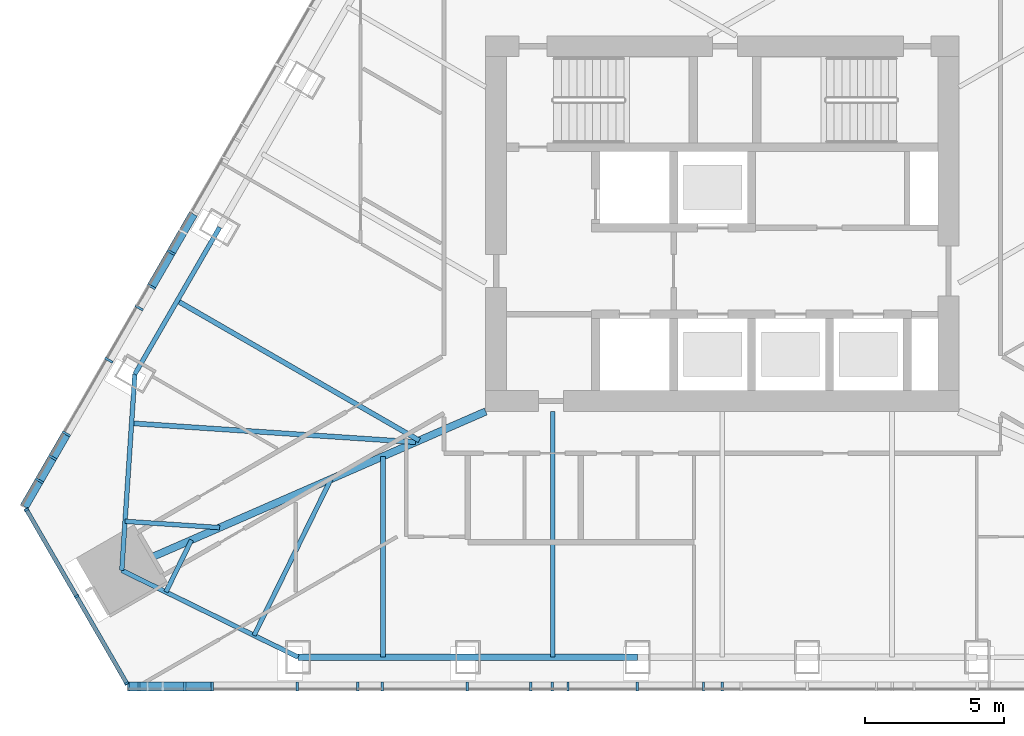
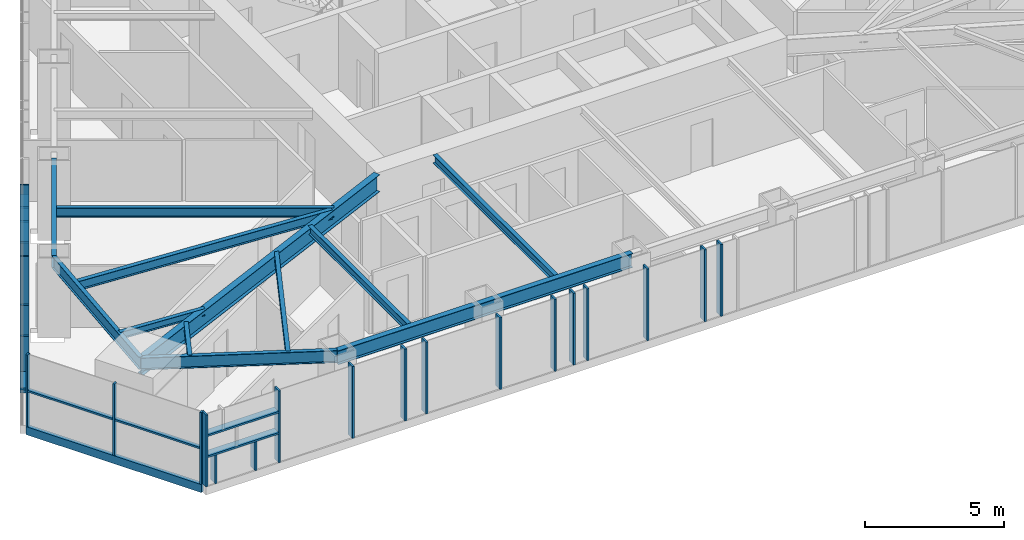
# One storey, part 2 of 18: 31 members, 12 beams, 3 elements without a shape of their own.
"""IFC4 building model written with IfcOpenShell, lengths in metres."""

from ifc_helpers import new_model, si_unit, direction, frame, origin, origin_2d, place, context, subcontext, project, spatial, rectangle, i_section, extrude, material, layer, layer_set, material_profile, profile_set, type_object, element, aggregate, save


model = new_model("IFC4")

# Units and contexts
model_context = context("Model", 3, precision=1e-05, world=origin(), true_north=direction((0.0, 1.0)))
body_context = subcontext(model_context, "Body", "Model", "MODEL_VIEW")
ifc_project = project(units=[si_unit("LENGTHUNIT", "METRE"), si_unit("AREAUNIT", "SQUARE_METRE"), si_unit("VOLUMEUNIT", "CUBIC_METRE"), si_unit("PLANEANGLEUNIT", "RADIAN"), si_unit("MASSUNIT", "GRAM", prefix="KILO")], contexts=[model_context])

# Site, building, storey
site_placement = place(None, origin())
site = spatial("IfcSite", under=ifc_project, at=site_placement, CompositionType="ELEMENT")
building_placement = place(site_placement, origin())
building = spatial("IfcBuilding", under=site, at=building_placement, Name="Firuza Gate Tower and Library", CompositionType="ELEMENT")
storey_placement = place(building_placement, frame((0.0, 0.0, 298.60009765625)))
storey = spatial("IfcBuildingStorey", under=building, at=storey_placement, Name="L72", CompositionType="ELEMENT", Elevation=298.60009765625)

# Curtain wall, members
ifc_material_1 = material(Name="Aluminium 6063-T6", Category="aluminium")
ifc_layer_1 = layer(ifc_material_1, 0.14990234375)
ifc_layer_set_1 = layer_set([ifc_layer_1], Name="Corner curtain wall, chamfers")
curtain_wall_type_1 = type_object("IfcCurtainWallType", Name="Corner curtain wall, chamfers", PredefinedType="NOTDEFINED", material=ifc_layer_set_1)
placement = place(storey_placement, origin())
curtain_wall_1 = element("IfcCurtainWall", 1, at=placement, inside=storey, type_object=curtain_wall_type_1, Name="CW4 L72 SW corner", PredefinedType="NOTDEFINED")
ifc_material_2 = material(Name="Aluminium 6063-T6", Category="aluminium")
ifc_material_profile_1 = material_profile(ifc_material_2, rectangle(XDim=0.14990234375, YDim=0.080078125, at=origin_2d()))
ifc_profile_set_1 = profile_set([ifc_material_profile_1], Name="Aluminium 6063-T6")
member_type_1 = type_object("IfcMemberType", Name="Curtain wall mullion 80x150", PredefinedType="MULLION", material=ifc_profile_set_1)
member_1_placement = place(storey_placement, frame((49.997314453125, 64.7255859375, 0.14990234375), z_axis=(0.0, 0.0, 1.0), x_axis=(0.866025403784, 0.5, 0.0)))
member_1 = element("IfcMember", 2, at=member_1_placement, type_object=member_type_1, Name="Mullion", PredefinedType="MULLION", context=body_context, shape_type="SweptSolid", body=[
    extrude(rectangle(XDim=0.14990234375, YDim=0.080078125, at=origin_2d()), origin(), (0.0, 0.0, 1.0), 3.14990234375),
])
member_2_placement = place(storey_placement, frame((51.799072265625, 61.60498046875, 0.14990234375), z_axis=(0.0, 0.0, 1.0), x_axis=(0.866025403784, 0.5, 0.0)))
member_2 = element("IfcMember", 3, at=member_2_placement, type_object=member_type_1, Name="Mullion", PredefinedType="MULLION", context=body_context, shape_type="SweptSolid", body=[
    extrude(rectangle(XDim=0.14990234375, YDim=0.080078125, at=origin_2d()), origin(), (0.0, 0.0, 1.0), 3.14990234375),
])
member_3_placement = place(storey_placement, frame((53.6005859375, 58.484375, 0.14990234375), z_axis=(0.0, 0.0, 1.0), x_axis=(0.866025403784, 0.5, 0.0)))
member_3 = element("IfcMember", 4, at=member_3_placement, type_object=member_type_1, Name="Mullion", PredefinedType="MULLION", context=body_context, shape_type="SweptSolid", body=[
    extrude(rectangle(XDim=0.14990234375, YDim=0.080078125, at=origin_2d()), origin(), (0.0, 0.0, 1.0), 3.14990234375),
])

ifc_material_3 = material(Name="Aluminium 6063-T6", Category="aluminium")
ifc_layer_2 = layer(ifc_material_3, 0.14990234375)
ifc_layer_set_2 = layer_set([ifc_layer_2], Name="Unitised curtain wall, residences")
curtain_wall_type_2 = type_object("IfcCurtainWallType", Name="Unitised curtain wall, residences", PredefinedType="NOTDEFINED", material=ifc_layer_set_2)
curtain_wall_2 = element("IfcCurtainWall", 5, at=placement, inside=storey, type_object=curtain_wall_type_2, Name="CW3 L72 S face", PredefinedType="NOTDEFINED")
ifc_material_4 = material(Name="Aluminium 6063-T6", Category="aluminium")
ifc_material_profile_2 = material_profile(ifc_material_4, rectangle(XDim=0.320068359375, YDim=0.080078125, at=origin_2d()))
ifc_profile_set_2 = profile_set([ifc_material_profile_2], Name="Aluminium 6063-T6")
member_type_2 = type_object("IfcMemberType", Name="Curtain wall mullion 80x320", PredefinedType="MULLION", material=ifc_profile_set_2)
member_4_placement = place(storey_placement, frame((53.66064453125, 58.36474609375, 0.14990234375), z_axis=(0.0, 0.0, 1.0), x_axis=(0.0, 1.0, 0.0)))
member_4 = element("IfcMember", 6, at=member_4_placement, type_object=member_type_2, Name="Mullion", PredefinedType="MULLION", context=body_context, shape_type="SweptSolid", body=[
    extrude(rectangle(XDim=0.320068359375, YDim=0.080078125, at=origin_2d()), origin(), (0.0, 0.0, 1.0), 3.14990234375),
])
member_5_placement = place(storey_placement, frame((56.6748046875, 58.36474609375, 0.14990234375), z_axis=(0.0, 0.0, 1.0), x_axis=(0.0, 1.0, 0.0)))
member_5 = element("IfcMember", 7, at=member_5_placement, type_object=member_type_2, Name="Mullion", PredefinedType="MULLION", context=body_context, shape_type="SweptSolid", body=[
    extrude(rectangle(XDim=0.320068359375, YDim=0.080078125, at=origin_2d()), origin(), (0.0, 0.0, 1.0), 3.14990234375),
])
member_6_placement = place(storey_placement, frame((59.72900390625, 58.36474609375, 0.14990234375), z_axis=(0.0, 0.0, 1.0), x_axis=(0.0, 1.0, 0.0)))
member_6 = element("IfcMember", 8, at=member_6_placement, type_object=member_type_2, Name="Mullion", PredefinedType="MULLION", context=body_context, shape_type="SweptSolid", body=[
    extrude(rectangle(XDim=0.320068359375, YDim=0.080078125, at=origin_2d()), origin(), (0.0, 0.0, 1.0), 3.14990234375),
])
member_7_placement = place(storey_placement, frame((62.783203125, 58.36474609375, 0.14990234375), z_axis=(0.0, 0.0, 1.0), x_axis=(0.0, 1.0, 0.0)))
member_7 = element("IfcMember", 9, at=member_7_placement, type_object=member_type_2, Name="Mullion", PredefinedType="MULLION", context=body_context, shape_type="SweptSolid", body=[
    extrude(rectangle(XDim=0.320068359375, YDim=0.080078125, at=origin_2d()), origin(), (0.0, 0.0, 1.0), 3.14990234375),
])
member_8_placement = place(storey_placement, frame((65.83740234375, 58.36474609375, 0.14990234375), z_axis=(0.0, 0.0, 1.0), x_axis=(0.0, 1.0, 0.0)))
member_8 = element("IfcMember", 10, at=member_8_placement, type_object=member_type_2, Name="Mullion", PredefinedType="MULLION", context=body_context, shape_type="SweptSolid", body=[
    extrude(rectangle(XDim=0.320068359375, YDim=0.080078125, at=origin_2d()), origin(), (0.0, 0.0, 1.0), 3.14990234375),
])
member_9_placement = place(storey_placement, frame((68.8916015625, 58.36474609375, 0.14990234375), z_axis=(0.0, 0.0, 1.0), x_axis=(0.0, 1.0, 0.0)))
member_9 = element("IfcMember", 11, at=member_9_placement, type_object=member_type_2, Name="Mullion", PredefinedType="MULLION", context=body_context, shape_type="SweptSolid", body=[
    extrude(rectangle(XDim=0.320068359375, YDim=0.080078125, at=origin_2d()), origin(), (0.0, 0.0, 1.0), 3.14990234375),
])
member_10_placement = place(storey_placement, frame((71.94580078125, 58.36474609375, 0.14990234375), z_axis=(0.0, 0.0, 1.0), x_axis=(0.0, 1.0, 0.0)))
member_10 = element("IfcMember", 12, at=member_10_placement, type_object=member_type_2, Name="Mullion", PredefinedType="MULLION", context=body_context, shape_type="SweptSolid", body=[
    extrude(rectangle(XDim=0.320068359375, YDim=0.080078125, at=origin_2d()), origin(), (0.0, 0.0, 1.0), 3.14990234375),
])
member_11_placement = place(storey_placement, frame((75.0, 58.36474609375, 0.14990234375), z_axis=(0.0, 0.0, 1.0), x_axis=(0.0, 1.0, 0.0)))
member_11 = element("IfcMember", 13, at=member_11_placement, type_object=member_type_2, Name="Mullion", PredefinedType="MULLION", context=body_context, shape_type="SweptSolid", body=[
    extrude(rectangle(XDim=0.320068359375, YDim=0.080078125, at=origin_2d()), origin(), (0.0, 0.0, 1.0), 3.14990234375),
])
member_12_placement = place(storey_placement, frame((54.038330078125, 58.36474609375, 0.14990234375), z_axis=(0.0, 0.0, 1.0), x_axis=(0.0, 1.0, 0.0)))
member_12 = element("IfcMember", 14, at=member_12_placement, type_object=member_type_2, Name="Mullion", PredefinedType="MULLION", context=body_context, shape_type="SweptSolid", body=[
    extrude(rectangle(XDim=0.320068359375, YDim=0.080078125, at=origin_2d()), origin(), (0.0, 0.0, 1.0), 1.260009765625),
])
member_13_placement = place(storey_placement, frame((55.687255859375, 58.36474609375, 0.14990234375), z_axis=(0.0, 0.0, 1.0), x_axis=(0.0, 1.0, 0.0)))
member_13 = element("IfcMember", 15, at=member_13_placement, type_object=member_type_2, Name="Mullion", PredefinedType="MULLION", context=body_context, shape_type="SweptSolid", body=[
    extrude(rectangle(XDim=0.320068359375, YDim=0.080078125, at=origin_2d()), origin(), (0.0, 0.0, 1.0), 1.260009765625),
])
member_14_placement = place(storey_placement, frame((61.900634765625, 58.36474609375, 0.14990234375), z_axis=(0.0, 0.0, 1.0), x_axis=(0.0, 1.0, 0.0)))
member_14 = element("IfcMember", 16, at=member_14_placement, type_object=member_type_2, Name="Mullion", PredefinedType="MULLION", context=body_context, shape_type="SweptSolid", body=[
    extrude(rectangle(XDim=0.320068359375, YDim=0.080078125, at=origin_2d()), origin(), (0.0, 0.0, 1.0), 3.14990234375),
])
member_15_placement = place(storey_placement, frame((68.114013671875, 58.36474609375, 0.14990234375), z_axis=(0.0, 0.0, 1.0), x_axis=(0.0, 1.0, 0.0)))
member_15 = element("IfcMember", 17, at=member_15_placement, type_object=member_type_2, Name="Mullion", PredefinedType="MULLION", context=body_context, shape_type="SweptSolid", body=[
    extrude(rectangle(XDim=0.320068359375, YDim=0.080078125, at=origin_2d()), origin(), (0.0, 0.0, 1.0), 3.14990234375),
])
member_16_placement = place(storey_placement, frame((69.459228515625, 58.36474609375, 0.14990234375), z_axis=(0.0, 0.0, 1.0), x_axis=(0.0, 1.0, 0.0)))
member_16 = element("IfcMember", 18, at=member_16_placement, type_object=member_type_2, Name="Mullion", PredefinedType="MULLION", context=body_context, shape_type="SweptSolid", body=[
    extrude(rectangle(XDim=0.320068359375, YDim=0.080078125, at=origin_2d()), origin(), (0.0, 0.0, 1.0), 3.14990234375),
])
member_17_placement = place(storey_placement, frame((74.327392578125, 58.36474609375, 0.14990234375), z_axis=(0.0, 0.0, 1.0), x_axis=(0.0, 1.0, 0.0)))
member_17 = element("IfcMember", 19, at=member_17_placement, type_object=member_type_2, Name="Mullion", PredefinedType="MULLION", context=body_context, shape_type="SweptSolid", body=[
    extrude(rectangle(XDim=0.320068359375, YDim=0.080078125, at=origin_2d()), origin(), (0.0, 0.0, 1.0), 3.14990234375),
])

curtain_wall_3 = element("IfcCurtainWall", 20, at=placement, inside=storey, type_object=curtain_wall_type_2, Name="CW3 L72 W face", PredefinedType="NOTDEFINED")
member_18_placement = place(storey_placement, frame((54.485107421875, 72.737548828125, 0.14990234375), z_axis=(0.0, 0.0, 1.0), x_axis=(0.866025403784, -0.5, 0.0)))
member_18 = element("IfcMember", 21, at=member_18_placement, type_object=member_type_2, Name="Mullion", PredefinedType="MULLION", context=body_context, shape_type="SweptSolid", body=[
    extrude(rectangle(XDim=0.320068359375, YDim=0.080078125, at=origin_2d()), origin(), (0.0, 0.0, 1.0), 3.14990234375),
])
member_19_placement = place(storey_placement, frame((52.9580078125, 70.092529296875, 0.14990234375), z_axis=(0.0, 0.0, 1.0), x_axis=(0.866025403784, -0.5, 0.0)))
member_19 = element("IfcMember", 22, at=member_19_placement, type_object=member_type_2, Name="Mullion", PredefinedType="MULLION", context=body_context, shape_type="SweptSolid", body=[
    extrude(rectangle(XDim=0.320068359375, YDim=0.080078125, at=origin_2d()), origin(), (0.0, 0.0, 1.0), 3.14990234375),
])
member_20_placement = place(storey_placement, frame((51.430908203125, 67.447509765625, 0.14990234375), z_axis=(0.0, 0.0, 1.0), x_axis=(0.866025403784, -0.5, 0.0)))
member_20 = element("IfcMember", 23, at=member_20_placement, type_object=member_type_2, Name="Mullion", PredefinedType="MULLION", context=body_context, shape_type="SweptSolid", body=[
    extrude(rectangle(XDim=0.320068359375, YDim=0.080078125, at=origin_2d()), origin(), (0.0, 0.0, 1.0), 3.14990234375),
])
member_21_placement = place(storey_placement, frame((55.1943359375, 73.966064453125, 1.764892578125), z_axis=(0.0, 0.0, 1.0), x_axis=(0.866025403784, -0.5, 0.0)))
member_21 = element("IfcMember", 24, at=member_21_placement, type_object=member_type_2, Name="Mullion", PredefinedType="MULLION", context=body_context, shape_type="SweptSolid", body=[
    extrude(rectangle(XDim=0.320068359375, YDim=0.080078125, at=origin_2d()), origin(), (0.0, 0.0, 1.0), 1.534912109375),
])
member_22_placement = place(storey_placement, frame((54.043701171875, 71.973388671875, 0.14990234375), z_axis=(0.0, 0.0, 1.0), x_axis=(0.866025403784, -0.5, 0.0)))
member_22 = element("IfcMember", 25, at=member_22_placement, type_object=member_type_2, Name="Mullion", PredefinedType="MULLION", context=body_context, shape_type="SweptSolid", body=[
    extrude(rectangle(XDim=0.320068359375, YDim=0.080078125, at=origin_2d()), origin(), (0.0, 0.0, 1.0), 3.14990234375),
])
member_23_placement = place(storey_placement, frame((50.93701171875, 66.59228515625, 0.14990234375), z_axis=(0.0, 0.0, 1.0), x_axis=(0.866025403784, -0.5, 0.0)))
member_23 = element("IfcMember", 26, at=member_23_placement, type_object=member_type_2, Name="Mullion", PredefinedType="MULLION", context=body_context, shape_type="SweptSolid", body=[
    extrude(rectangle(XDim=0.320068359375, YDim=0.080078125, at=origin_2d()), origin(), (0.0, 0.0, 1.0), 1.534912109375),
])
member_24_placement = place(storey_placement, frame((50.459228515625, 65.764892578125, 1.764892578125), z_axis=(0.0, 0.0, 1.0), x_axis=(0.866025403784, -0.5, 0.0)))
member_24 = element("IfcMember", 27, at=member_24_placement, type_object=member_type_2, Name="Mullion", PredefinedType="MULLION", context=body_context, shape_type="SweptSolid", body=[
    extrude(rectangle(XDim=0.320068359375, YDim=0.080078125, at=origin_2d()), origin(), (0.0, 0.0, 1.0), 1.534912109375),
])

# Member
ifc_material_5 = material(Name="Aluminium 6063-T6", Category="aluminium")
ifc_material_profile_3 = material_profile(ifc_material_5, rectangle(XDim=0.14990234375, YDim=0.35009765625, at=origin_2d()))
ifc_profile_set_3 = profile_set([ifc_material_profile_3], Name="Aluminium 6063-T6")
member_type_3 = type_object("IfcMemberType", Name="Curtain wall transom 350x150", PredefinedType="USERDEFINED", material=ifc_profile_set_3)
member_25_placement = place(storey_placement, frame((49.977294921875, 64.760009765625, -0.025146484375), z_axis=(0.500005719219, -0.866022101766, 0.0), x_axis=(0.866022101766, 0.500005719219, 0.0)))
member_25 = element("IfcMember", 28, at=member_25_placement, type_object=member_type_3, Name="Transom", ObjectType="TRANSOM", PredefinedType="USERDEFINED", context=body_context, shape_type="SweptSolid", body=[
    extrude(rectangle(XDim=0.14990234375, YDim=0.35009765625, at=origin_2d()), origin(), (0.0, 0.0, 1.0), 7.28662109375),
])

ifc_material_6 = material(Name="Aluminium 6063-T6", Category="aluminium")
ifc_material_profile_4 = material_profile(ifc_material_6, rectangle(XDim=0.14990234375, YDim=0.080078125, at=origin_2d()))
ifc_profile_set_4 = profile_set([ifc_material_profile_4], Name="Aluminium 6063-T6")
member_type_4 = type_object("IfcMemberType", Name="Curtain wall transom 80x150", PredefinedType="USERDEFINED", material=ifc_profile_set_4)
member_26_placement = place(storey_placement, frame((49.997314453125, 64.7255859375, 1.724853515625), z_axis=(0.500015035186, -0.866016723041, 0.0), x_axis=(0.866016723041, 0.500015035186, 0.0)))
member_26 = element("IfcMember", 29, at=member_26_placement, type_object=member_type_4, Name="Transom", ObjectType="TRANSOM", PredefinedType="USERDEFINED", context=body_context, shape_type="SweptSolid", body=[
    extrude(rectangle(XDim=0.14990234375, YDim=0.080078125, at=origin_2d()), origin(), (0.0, 0.0, 1.0), 3.5634765625),
])

member_27_placement = place(storey_placement, frame((51.819091796875, 61.5703125, 1.724853515625), z_axis=(0.49996364809, -0.866046390552, 0.0), x_axis=(0.866046390552, 0.49996364809, 0.0)))
member_27 = element("IfcMember", 30, at=member_27_placement, type_object=member_type_4, Name="Transom", ObjectType="TRANSOM", PredefinedType="USERDEFINED", context=body_context, shape_type="SweptSolid", body=[
    extrude(rectangle(XDim=0.14990234375, YDim=0.080078125, at=origin_2d()), origin(), (0.0, 0.0, 1.0), 3.563232421875),
])

aggregate(curtain_wall_1, [member_1, member_2, member_3, member_25, member_26, member_27])

ifc_material_7 = material(Name="Aluminium 6063-T6", Category="aluminium")
ifc_material_profile_5 = material_profile(ifc_material_7, rectangle(XDim=0.320068359375, YDim=0.080078125, at=origin_2d()))
ifc_profile_set_5 = profile_set([ifc_material_profile_5], Name="Aluminium 6063-T6")
member_type_5 = type_object("IfcMemberType", Name="Curtain wall transom 80x320", PredefinedType="USERDEFINED", material=ifc_profile_set_5)
member_28_placement = place(storey_placement, frame((53.66064453125, 58.36474609375, 1.449951171875), z_axis=(1.0, 0.0, 0.0), x_axis=(0.0, 1.0, 0.0)))
member_28 = element("IfcMember", 31, at=member_28_placement, type_object=member_type_5, Name="Transom", ObjectType="TRANSOM", PredefinedType="USERDEFINED", context=body_context, shape_type="SweptSolid", body=[
    extrude(rectangle(XDim=0.320068359375, YDim=0.080078125, at=origin_2d()), origin(), (0.0, 0.0, 1.0), 2.97412109375),
])

member_29_placement = place(storey_placement, frame((53.66064453125, 58.36474609375, 2.375), z_axis=(1.0, 0.0, 0.0), x_axis=(0.0, 1.0, 0.0)))
member_29 = element("IfcMember", 32, at=member_29_placement, type_object=member_type_5, Name="Transom", ObjectType="TRANSOM", PredefinedType="USERDEFINED", context=body_context, shape_type="SweptSolid", body=[
    extrude(rectangle(XDim=0.320068359375, YDim=0.080078125, at=origin_2d()), origin(), (0.0, 0.0, 1.0), 2.97412109375),
])

aggregate(curtain_wall_2, [member_4, member_5, member_6, member_7, member_8, member_9, member_10, member_11, member_12, member_13, member_28, member_29, member_14, member_15, member_16, member_17])

member_30_placement = place(storey_placement, frame((55.9921875, 75.347900390625, 1.724853515625), z_axis=(-0.499997208602, -0.866027015393, 0.0), x_axis=(0.866027015393, -0.499997208602, 0.0)))
member_30 = element("IfcMember", 33, at=member_30_placement, type_object=member_type_5, Name="Transom", ObjectType="TRANSOM", PredefinedType="USERDEFINED", context=body_context, shape_type="SweptSolid", body=[
    extrude(rectangle(XDim=0.320068359375, YDim=0.080078125, at=origin_2d()), origin(), (0.0, 0.0, 1.0), 2.97412109375),
])

member_31_placement = place(storey_placement, frame((51.410888671875, 67.4130859375, 1.724853515625), z_axis=(-0.499961665751, -0.866047534942, 0.0), x_axis=(0.866047534942, -0.499961665751, 0.0)))
member_31 = element("IfcMember", 34, at=member_31_placement, type_object=member_type_5, Name="Transom", ObjectType="TRANSOM", PredefinedType="USERDEFINED", context=body_context, shape_type="SweptSolid", body=[
    extrude(rectangle(XDim=0.320068359375, YDim=0.080078125, at=origin_2d()), origin(), (0.0, 0.0, 1.0), 2.974365234375),
])

aggregate(curtain_wall_3, [member_18, member_19, member_20, member_21, member_30, member_22, member_23, member_24, member_31])

# Beams
ifc_material_8 = material(Name="Steel S355", Category="steel")
ifc_material_profile_6 = material_profile(ifc_material_8, i_section(OverallWidth=0.1650390625, OverallDepth=0.31005859375, WebThickness=0.005859375, FlangeThickness=0.009765625, at=origin_2d()))
ifc_profile_set_6 = profile_set([ifc_material_profile_6], Name="Steel S355")
beam_type_1 = type_object("IfcBeamType", Name="W310x39 Floor beam", PredefinedType="JOIST", material=ifc_profile_set_6)
beam_1_placement = place(storey_placement, frame((53.5400390625, 64.30419921875, 3.14501953125), z_axis=(0.997798132609, -0.066324102419, 0.0), x_axis=(0.066324102419, 0.997798132609, 0.0)))
element("IfcBeam", 35, at=beam_1_placement, inside=storey, type_object=beam_type_1, Name="Floor beam L72 s01", PredefinedType="JOIST", context=body_context, shape_type="SweptSolid", body=[
    extrude(i_section(OverallWidth=0.1650390625, OverallDepth=0.31005859375, WebThickness=0.005859375, FlangeThickness=0.009765625, at=origin_2d()), origin(), (0.0, 0.0, 1.0), 3.40869140625),
])
beam_2_placement = place(storey_placement, frame((55.007080078125, 61.762939453125, 3.14501953125), z_axis=(0.44149718948, 0.8972626325, 0.0), x_axis=(-0.8972626325, 0.44149718948, 0.0)))
element("IfcBeam", 36, at=beam_2_placement, inside=storey, type_object=beam_type_1, Name="Floor beam L72 s10", PredefinedType="JOIST", context=body_context, shape_type="SweptSolid", body=[
    extrude(i_section(OverallWidth=0.1650390625, OverallDepth=0.31005859375, WebThickness=0.005859375, FlangeThickness=0.009765625, at=origin_2d()), origin(), (0.0, 0.0, 1.0), 2.08740234375),
])
beam_3_placement = place(storey_placement, frame((58.17578125, 60.2041015625, 3.14501953125), z_axis=(0.44141897367, 0.897301114278, 0.0), x_axis=(-0.897301114278, 0.44141897367, 0.0)))
element("IfcBeam", 37, at=beam_3_placement, inside=storey, type_object=beam_type_1, Name="Floor beam L72 s11", PredefinedType="JOIST", context=body_context, shape_type="SweptSolid", body=[
    extrude(i_section(OverallWidth=0.1650390625, OverallDepth=0.31005859375, WebThickness=0.005859375, FlangeThickness=0.009765625, at=origin_2d()), origin(), (0.0, 0.0, 1.0), 6.262451171875),
])
ifc_material_9 = material(Name="Steel S355", Category="steel")
ifc_material_profile_7 = material_profile(ifc_material_9, i_section(OverallWidth=0.1708984375, OverallDepth=0.35498046875, WebThickness=0.007080078125, FlangeThickness=0.01171875, at=origin_2d()))
ifc_profile_set_7 = profile_set([ifc_material_profile_7], Name="Steel S355")
beam_type_2 = type_object("IfcBeamType", Name="W360x51 Floor beam", PredefinedType="JOIST", material=ifc_profile_set_7)
beam_4_placement = place(storey_placement, frame((62.80810546875, 59.4248046875, 3.122314453125), z_axis=(0.0, 1.0, 0.0), x_axis=(-1.0, 0.0, 0.0)))
element("IfcBeam", 38, at=beam_4_placement, inside=storey, type_object=beam_type_2, Name="Floor beam L72 s20", PredefinedType="JOIST", context=body_context, shape_type="SweptSolid", body=[
    extrude(i_section(OverallWidth=0.1708984375, OverallDepth=0.35498046875, WebThickness=0.007080078125, FlangeThickness=0.01171875, at=origin_2d()), origin(), (0.0, 0.0, 1.0), 7.2138671875),
])
beam_5_placement = place(storey_placement, frame((68.904052734375, 59.4248046875, 3.122314453125), z_axis=(0.0, 1.0, 0.0), x_axis=(-1.0, 0.0, 0.0)))
element("IfcBeam", 39, at=beam_5_placement, inside=storey, type_object=beam_type_2, Name="Floor beam L72 s21", PredefinedType="JOIST", context=body_context, shape_type="SweptSolid", body=[
    extrude(i_section(OverallWidth=0.1708984375, OverallDepth=0.35498046875, WebThickness=0.007080078125, FlangeThickness=0.01171875, at=origin_2d()), origin(), (0.0, 0.0, 1.0), 8.8251953125),
])
ifc_material_10 = material(Name="Steel S355", Category="steel")
ifc_material_profile_8 = material_profile(ifc_material_10, i_section(OverallWidth=0.177978515625, OverallDepth=0.406982421875, WebThickness=0.0078125, FlangeThickness=0.0126953125, at=origin_2d()))
ifc_profile_set_8 = profile_set([ifc_material_profile_8], Name="Steel S355")
beam_type_3 = type_object("IfcBeamType", Name="W410x60 Floor beam", PredefinedType="JOIST", material=ifc_profile_set_8)
beam_6_placement = place(storey_placement, frame((53.774169921875, 67.82763671875, 3.096435546875), z_axis=(0.997796657436, -0.066346291597, 0.0), x_axis=(0.066346291597, 0.997796657436, 0.0)))
element("IfcBeam", 40, at=beam_6_placement, inside=storey, type_object=beam_type_3, Name="Floor beam L72 s00", PredefinedType="JOIST", context=body_context, shape_type="SweptSolid", body=[
    extrude(i_section(OverallWidth=0.177978515625, OverallDepth=0.406982421875, WebThickness=0.0078125, FlangeThickness=0.0126953125, at=origin_2d()), origin(), (0.0, 0.0, 1.0), 10.22607421875),
])
beam_7_placement = place(storey_placement, frame((55.41552734375, 72.22900390625, 3.096435546875), z_axis=(0.866029312411, -0.499993229999, 0.0), x_axis=(0.499993229999, 0.866029312411, 0.0)))
element("IfcBeam", 41, at=beam_7_placement, inside=storey, type_object=beam_type_3, Name="Floor beam L72 s84", PredefinedType="JOIST", context=body_context, shape_type="SweptSolid", body=[
    extrude(i_section(OverallWidth=0.177978515625, OverallDepth=0.406982421875, WebThickness=0.0078125, FlangeThickness=0.0126953125, at=origin_2d()), origin(), (0.0, 0.0, 1.0), 10.042236328125),
])
ifc_material_11 = material(Name="Steel S355", Category="steel")
ifc_material_profile_9 = material_profile(ifc_material_11, i_section(OverallWidth=0.166015625, OverallDepth=0.534912109375, WebThickness=0.01025390625, FlangeThickness=0.0166015625, at=origin_2d()))
ifc_profile_set_9 = profile_set([ifc_material_profile_9], Name="Steel S355")
beam_type_4 = type_object("IfcBeamType", Name="W530x85 Edge beam", PredefinedType="SPANDREL", material=ifc_profile_set_9)
for number, where, z_axis, x_axis, name in (
    (42, (53.891357421875, 69.58935546875, 3.032470703125), (-0.066337752051, -0.997797225218, 0.0), (0.997797225218, -0.066337752051, 0.0), "Edge beam L72 e00"),
    (43, (53.4228515625, 62.54248046875, 3.032470703125), (0.897291608696, -0.44143829576, 0.0), (0.44143829576, 0.897291608696, 0.0), "Edge beam L72 e10"),
):
    element("IfcBeam", number, at=place(storey_placement, frame(where, z_axis=z_axis, x_axis=x_axis)), inside=storey, type_object=beam_type_4, Name=name, PredefinedType="SPANDREL", context=body_context, shape_type="SweptSolid", body=[
        extrude(i_section(OverallWidth=0.166015625, OverallDepth=0.534912109375, WebThickness=0.01025390625, FlangeThickness=0.0166015625, at=origin_2d()), origin(), (0.0, 0.0, 1.0), 7.0625),
    ])
beam_8_placement = place(storey_placement, frame((56.939453125, 74.86865234375, 3.032470703125), z_axis=(-0.500011347202, -0.866018852375, 0.0), x_axis=(0.866018852375, -0.500011347202, 0.0)))
element("IfcBeam", 44, at=beam_8_placement, inside=storey, type_object=beam_type_4, Name="Edge beam L72 e84", PredefinedType="SPANDREL", context=body_context, shape_type="SweptSolid", body=[
    extrude(i_section(OverallWidth=0.166015625, OverallDepth=0.534912109375, WebThickness=0.01025390625, FlangeThickness=0.0166015625, at=origin_2d()), origin(), (0.0, 0.0, 1.0), 6.095947265625),
])
ifc_material_12 = material(Name="Steel S355", Category="steel")
ifc_material_profile_10 = material_profile(ifc_material_12, i_section(OverallWidth=0.22900390625, OverallDepth=0.612060546875, WebThickness=0.011962890625, FlangeThickness=0.01953125, at=origin_2d()))
ifc_profile_set_10 = profile_set([ifc_material_profile_10], Name="Steel S355")
beam_type_5 = type_object("IfcBeamType", Name="W610x125 Edge beam", PredefinedType="SPANDREL", material=ifc_profile_set_10)
beam_9_placement = place(storey_placement, frame((59.760009765625, 59.4248046875, 2.993896484375), z_axis=(1.0, 0.0, 0.0), x_axis=(0.0, 1.0, 0.0)))
element("IfcBeam", 45, at=beam_9_placement, inside=storey, type_object=beam_type_5, Name="Edge beam L72 e20", PredefinedType="SPANDREL", context=body_context, shape_type="SweptSolid", body=[
    extrude(i_section(OverallWidth=0.22900390625, OverallDepth=0.612060546875, WebThickness=0.011962890625, FlangeThickness=0.01953125, at=origin_2d()), origin(), (0.0, 0.0, 1.0), 12.19189453125),
])
ifc_material_13 = material(Name="Steel S355", Category="steel")
ifc_material_profile_11 = material_profile(ifc_material_13, i_section(OverallWidth=0.264892578125, OverallDepth=0.7529296875, WebThickness=0.01318359375, FlangeThickness=0.01708984375, at=origin_2d()))
ifc_profile_set_11 = profile_set([ifc_material_profile_11], Name="Steel S355")
beam_type_6 = type_object("IfcBeamType", Name="W760x147 Girder", PredefinedType="BEAM", material=ifc_profile_set_11)
beam_10_placement = place(storey_placement, frame((53.4228515625, 62.54248046875, 2.92333984375), z_axis=(0.916510410118, 0.400010835034, 0.0), x_axis=(-0.400010835034, 0.916510410118, 0.0)))
element("IfcBeam", 46, at=beam_10_placement, inside=storey, type_object=beam_type_6, Name="Girder L72 gSW", PredefinedType="BEAM", context=body_context, shape_type="SweptSolid", body=[
    extrude(i_section(OverallWidth=0.264892578125, OverallDepth=0.7529296875, WebThickness=0.01318359375, FlangeThickness=0.01708984375, at=origin_2d()), origin(), (0.0, 0.0, 1.0), 14.268310546875),
])

save(model, "model.ifc")
